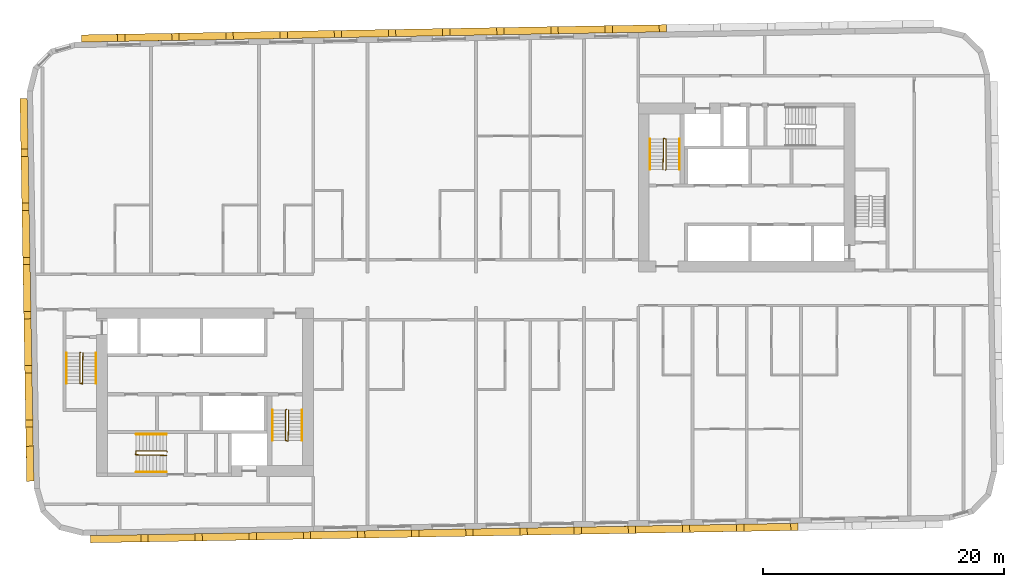
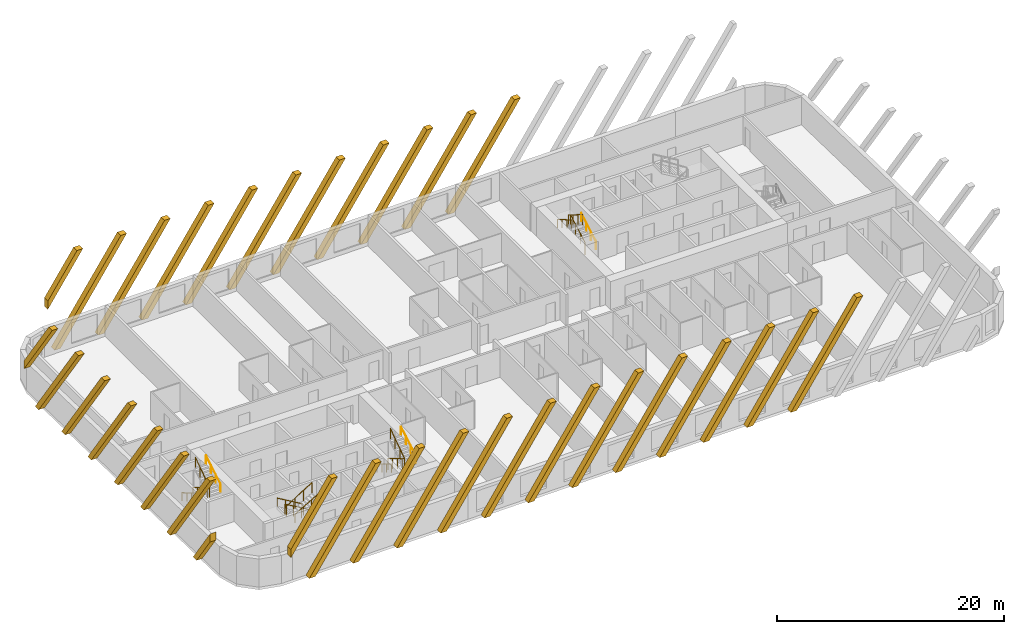
# One storey, part 11 of 12: 32 coverings, 12 railings.
"""IFC4 building model written with IfcOpenShell, lengths in metres."""

from ifc_helpers import new_model, si_unit, direction, frame, origin, origin_2d, place, context, subcontext, project, spatial, polyline, rectangle, circle, outline, extrude, material, material_profile, profile_set, type_object, element, save


model = new_model("IFC4")

# Units and contexts
model_context = context("Model", 3, precision=1e-05, world=origin(), true_north=direction((0.0, 1.0)))
body_context = subcontext(model_context, "Body", "Model", "MODEL_VIEW")
ifc_project = project(units=[si_unit("LENGTHUNIT", "METRE"), si_unit("AREAUNIT", "SQUARE_METRE"), si_unit("VOLUMEUNIT", "CUBIC_METRE"), si_unit("PLANEANGLEUNIT", "RADIAN"), si_unit("MASSUNIT", "GRAM", prefix="KILO")], contexts=[model_context])

# Site, building, storey
site_placement = place(None, origin())
site = spatial("IfcSite", under=ifc_project, at=site_placement, CompositionType="ELEMENT")
building_placement = place(site_placement, origin())
building = spatial("IfcBuilding", under=site, at=building_placement, Name="Kajstack Hotel Tower", CompositionType="ELEMENT")
storey_placement = place(building_placement, frame((0.0, 0.0, 227.60009765625)))
storey = spatial("IfcBuildingStorey", under=building, at=storey_placement, Name="L55", CompositionType="ELEMENT", Elevation=227.60009765625)

# Coverings
ifc_material_1 = material(Name="Terracotta", Category="masonry")
ifc_material_profile = material_profile(ifc_material_1, rectangle(XDim=0.60009765625, YDim=0.5, at=origin_2d()), Name="Terracotta-clad concrete baguette 500 x 600")
ifc_profile_set = profile_set([ifc_material_profile], Name="Terracotta")
covering_type = type_object("IfcCoveringType", Name="BAGUETTE 500x600", PredefinedType="CLADDING", material=ifc_profile_set)
covering_1_placement = place(storey_placement, frame((-37.271484375, 15.8994140625, 0.0), z_axis=(-0.999846892363, -0.017498337962, 0.0), x_axis=(0.017498337962, -0.999846892363, 0.0)))
element("IfcCovering", 1, at=covering_1_placement, inside=storey, type_object=covering_type, Name="Baguette L55-00-001", PredefinedType="CLADDING", context=body_context, shape_type="SweptSolid", body=[
    extrude(outline(polyline([(4.196533203125, 9.89990234375), (0.0, 3.7939453125), (0.0, 2.9111328125), (4.803466796875, 9.89990234375), (4.196533203125, 9.89990234375)])), origin(), (0.0, 0.0, 1.0), 0.599853515625),
])
covering_2_placement = place(storey_placement, frame((-37.23828125, 14.00732421875, 0.0), z_axis=(-0.999847016888, -0.017491221207, 0.0), x_axis=(0.017491221207, -0.999847016888, 0.0)))
element("IfcCovering", 2, at=covering_2_placement, inside=storey, type_object=covering_type, Name="Baguette L55-00-005", PredefinedType="CLADDING", context=body_context, shape_type="SweptSolid", body=[
    extrude(outline(polyline([(6.80419921875, 9.89990234375), (0.0, 0.0), (0.606689453125, 0.0), (7.410888671875, 9.89990234375), (6.80419921875, 9.89990234375)])), origin(), (0.0, 0.0, 1.0), 0.60009765625),
])
for number, where, z_axis, x_axis, name in (
    (3, (-37.159912109375, 9.5078125, 0.0), (-0.999846892363, -0.017498337962, 0.0), (0.017498337962, -0.999846892363, 0.0), "Baguette L55-00-009"),
    (4, (-37.081298828125, 5.008544921875, 0.0), (-0.999846892363, -0.017498337962, 0.0), (0.017498337962, -0.999846892363, 0.0), "Baguette L55-00-013"),
):
    element("IfcCovering", number, at=place(storey_placement, frame(where, z_axis=z_axis, x_axis=x_axis)), inside=storey, type_object=covering_type, Name=name, PredefinedType="CLADDING", context=body_context, shape_type="SweptSolid", body=[
        extrude(outline(polyline([(6.80419921875, 9.89990234375), (0.0, 0.0), (0.606689453125, 0.0), (7.410888671875, 9.89990234375), (6.80419921875, 9.89990234375)])), origin(), (0.0, 0.0, 1.0), 0.599853515625),
    ])
covering_3_placement = place(storey_placement, frame((-37.002685546875, 0.50927734375, 0.0), z_axis=(-0.999847016888, -0.017491221207, 0.0), x_axis=(0.017491221207, -0.999847016888, 0.0)))
element("IfcCovering", 5, at=covering_3_placement, inside=storey, type_object=covering_type, Name="Baguette L55-00-017", PredefinedType="CLADDING", context=body_context, shape_type="SweptSolid", body=[
    extrude(outline(polyline([(6.80419921875, 9.89990234375), (0.0, 0.0), (0.606689453125, 0.0), (7.410888671875, 9.89990234375), (6.80419921875, 9.89990234375)])), origin(), (0.0, 0.0, 1.0), 0.60009765625),
])
covering_4_placement = place(storey_placement, frame((-36.92431640625, -3.989990234375, 0.0), z_axis=(-0.999846892363, -0.017498337962, 0.0), x_axis=(0.017498337962, -0.999846892363, 0.0)))
element("IfcCovering", 6, at=covering_4_placement, inside=storey, type_object=covering_type, Name="Baguette L55-00-021", PredefinedType="CLADDING", context=body_context, shape_type="SweptSolid", body=[
    extrude(outline(polyline([(6.80419921875, 9.89990234375), (0.0, 0.0), (0.606689453125, 0.0), (7.410888671875, 9.89990234375), (6.80419921875, 9.89990234375)])), origin(), (0.0, 0.0, 1.0), 0.599853515625),
])
covering_5_placement = place(storey_placement, frame((-36.845703125, -8.489501953125, 0.0), z_axis=(-0.999853929301, -0.017091520159, 0.0), x_axis=(0.017091520159, -0.999853929301, 0.0)))
element("IfcCovering", 7, at=covering_5_placement, inside=storey, type_object=covering_type, Name="Baguette L55-00-025", PredefinedType="CLADDING", context=body_context, shape_type="SweptSolid", body=[
    extrude(outline(polyline([(0.606689453125, 0.0), (7.407470703125, 9.89501953125), (7.407470703125, 9.89990234375), (6.80419921875, 9.89990234375), (0.0, 0.0), (0.606689453125, 0.0)])), origin(), (0.0, 0.0, 1.0), 0.599853515625),
])
covering_6_placement = place(storey_placement, frame((-36.76708984375, -12.98876953125, 0.0), z_axis=(-0.999846892363, -0.017498337962, 0.0), x_axis=(0.017498337962, -0.999846892363, 0.0)))
element("IfcCovering", 8, at=covering_6_placement, inside=storey, type_object=covering_type, Name="Baguette L55-00-029", PredefinedType="CLADDING", context=body_context, shape_type="SweptSolid", body=[
    extrude(outline(polyline([(0.606689453125, 0.0), (2.907470703125, 3.34765625), (2.907470703125, 4.230224609375), (0.0, 0.0), (0.606689453125, 0.0)])), origin(), (0.0, 0.0, 1.0), 0.599853515625),
])
covering_7_placement = place(storey_placement, frame((-32.036865234375, -20.414794921875, 0.0), z_axis=(0.017498337962, -0.999846892363, 0.0), x_axis=(0.999846892363, 0.017498337962, 0.0)))
element("IfcCovering", 9, at=covering_7_placement, inside=storey, type_object=covering_type, Name="Baguette L55-04-001", PredefinedType="CLADDING", context=body_context, shape_type="SweptSolid", body=[
    extrude(outline(polyline([(4.196533203125, 9.89990234375), (0.0, 3.7939453125), (0.0, 2.9111328125), (4.803466796875, 9.89990234375), (4.196533203125, 9.89990234375)])), origin(), (0.0, 0.0, 1.0), 0.599853515625),
])
covering_8_placement = place(storey_placement, frame((-30.14453125, -20.381591796875, 0.0), z_axis=(0.017491221207, -0.999847016888, 0.0), x_axis=(0.999847016888, 0.017491221207, 0.0)))
element("IfcCovering", 10, at=covering_8_placement, inside=storey, type_object=covering_type, Name="Baguette L55-04-005", PredefinedType="CLADDING", context=body_context, shape_type="SweptSolid", body=[
    extrude(outline(polyline([(6.80419921875, 9.89990234375), (0.0, 0.0), (0.606689453125, 0.0), (7.410888671875, 9.89990234375), (6.80419921875, 9.89990234375)])), origin(), (0.0, 0.0, 1.0), 0.60009765625),
])
for number, where, z_axis, x_axis, name in (
    (11, (-25.645263671875, -20.30322265625, 0.0), (0.017498337962, -0.999846892363, 0.0), (0.999846892363, 0.017498337962, 0.0), "Baguette L55-04-009"),
    (12, (-21.14599609375, -20.224609375, 0.0), (0.017498337962, -0.999846892363, 0.0), (0.999846892363, 0.017498337962, 0.0), "Baguette L55-04-013"),
):
    element("IfcCovering", number, at=place(storey_placement, frame(where, z_axis=z_axis, x_axis=x_axis)), inside=storey, type_object=covering_type, Name=name, PredefinedType="CLADDING", context=body_context, shape_type="SweptSolid", body=[
        extrude(outline(polyline([(6.80419921875, 9.89990234375), (0.0, 0.0), (0.606689453125, 0.0), (7.410888671875, 9.89990234375), (6.80419921875, 9.89990234375)])), origin(), (0.0, 0.0, 1.0), 0.599853515625),
    ])
covering_9_placement = place(storey_placement, frame((-16.646484375, -20.14599609375, 0.0), z_axis=(0.017491221207, -0.999847016888, 0.0), x_axis=(0.999847016888, 0.017491221207, 0.0)))
element("IfcCovering", 13, at=covering_9_placement, inside=storey, type_object=covering_type, Name="Baguette L55-04-017", PredefinedType="CLADDING", context=body_context, shape_type="SweptSolid", body=[
    extrude(outline(polyline([(6.80419921875, 9.89990234375), (0.0, 0.0), (0.606689453125, 0.0), (7.410888671875, 9.89990234375), (6.80419921875, 9.89990234375)])), origin(), (0.0, 0.0, 1.0), 0.60009765625),
])
for number, where, z_axis, x_axis, name in (
    (14, (-12.147216796875, -20.067626953125, 0.0), (0.017498337962, -0.999846892363, 0.0), (0.999846892363, 0.017498337962, 0.0), "Baguette L55-04-021"),
    (15, (-7.64794921875, -19.989013671875, 0.0), (0.017498337962, -0.999846892363, 0.0), (0.999846892363, 0.017498337962, 0.0), "Baguette L55-04-025"),
):
    element("IfcCovering", number, at=place(storey_placement, frame(where, z_axis=z_axis, x_axis=x_axis)), inside=storey, type_object=covering_type, Name=name, PredefinedType="CLADDING", context=body_context, shape_type="SweptSolid", body=[
        extrude(outline(polyline([(6.80419921875, 9.89990234375), (0.0, 0.0), (0.606689453125, 0.0), (7.410888671875, 9.89990234375), (6.80419921875, 9.89990234375)])), origin(), (0.0, 0.0, 1.0), 0.599853515625),
    ])
covering_10_placement = place(storey_placement, frame((-3.148681640625, -19.910400390625, 0.0), z_axis=(0.017491221207, -0.999847016888, 0.0), x_axis=(0.999847016888, 0.017491221207, 0.0)))
element("IfcCovering", 16, at=covering_10_placement, inside=storey, type_object=covering_type, Name="Baguette L55-04-029", PredefinedType="CLADDING", context=body_context, shape_type="SweptSolid", body=[
    extrude(outline(polyline([(6.80419921875, 9.89990234375), (0.0, 0.0), (0.606689453125, 0.0), (7.410888671875, 9.89990234375), (6.80419921875, 9.89990234375)])), origin(), (0.0, 0.0, 1.0), 0.60009765625),
])
for number, where, z_axis, x_axis, name in (
    (17, (1.3505859375, -19.83203125, 0.0), (0.017498337962, -0.999846892363, 0.0), (0.999846892363, 0.017498337962, 0.0), "Baguette L55-04-033"),
    (18, (5.85009765625, -19.75341796875, 0.0), (0.017091520159, -0.999853929301, 0.0), (0.999853929301, 0.017091520159, 0.0), "Baguette L55-04-037"),
    (19, (10.349365234375, -19.6748046875, 0.0), (0.017498337962, -0.999846892363, 0.0), (0.999846892363, 0.017498337962, 0.0), "Baguette L55-04-041"),
    (20, (14.8486328125, -19.596435546875, 0.0), (0.017498337962, -0.999846892363, 0.0), (0.999846892363, 0.017498337962, 0.0), "Baguette L55-04-045"),
    (21, (19.347900390625, -19.517822265625, 0.0), (0.017498337962, -0.999846892363, 0.0), (0.999846892363, 0.017498337962, 0.0), "Baguette L55-04-049"),
):
    element("IfcCovering", number, at=place(storey_placement, frame(where, z_axis=z_axis, x_axis=x_axis)), inside=storey, type_object=covering_type, Name=name, PredefinedType="CLADDING", context=body_context, shape_type="SweptSolid", body=[
        extrude(outline(polyline([(6.80419921875, 9.89990234375), (0.0, 0.0), (0.606689453125, 0.0), (7.410888671875, 9.89990234375), (6.80419921875, 9.89990234375)])), origin(), (0.0, 0.0, 1.0), 0.599853515625),
    ])
covering_11_placement = place(storey_placement, frame((15.843505859375, 21.42724609375, 0.0), z_axis=(-0.017491221207, 0.999847016888, 0.0), x_axis=(-0.999847016888, -0.017491221207, 0.0)))
element("IfcCovering", 22, at=covering_11_placement, inside=storey, type_object=covering_type, Name="Baguette L55-12-025", PredefinedType="CLADDING", context=body_context, shape_type="SweptSolid", body=[
    extrude(outline(polyline([(0.0, 9.89990234375), (6.80419921875, 0.0), (7.410888671875, 0.0), (0.606689453125, 9.89990234375), (0.0, 9.89990234375)])), origin(), (0.0, 0.0, 1.0), 0.60009765625),
])
for number, where, z_axis, x_axis, name in (
    (23, (11.34423828125, 21.348876953125, 0.0), (-0.017498337962, 0.999846892363, 0.0), (-0.999846892363, -0.017498337962, 0.0), "Baguette L55-12-029"),
    (24, (6.844970703125, 21.270263671875, 0.0), (-0.017498337962, 0.999846892363, 0.0), (-0.999846892363, -0.017498337962, 0.0), "Baguette L55-12-033"),
):
    element("IfcCovering", number, at=place(storey_placement, frame(where, z_axis=z_axis, x_axis=x_axis)), inside=storey, type_object=covering_type, Name=name, PredefinedType="CLADDING", context=body_context, shape_type="SweptSolid", body=[
        extrude(outline(polyline([(0.0, 9.89990234375), (6.80419921875, 0.0), (7.410888671875, 0.0), (0.606689453125, 9.89990234375), (0.0, 9.89990234375)])), origin(), (0.0, 0.0, 1.0), 0.599853515625),
    ])
covering_12_placement = place(storey_placement, frame((2.345703125, 21.191650390625, 0.0), z_axis=(-0.017491221207, 0.999847016888, 0.0), x_axis=(-0.999847016888, -0.017491221207, 0.0)))
element("IfcCovering", 25, at=covering_12_placement, inside=storey, type_object=covering_type, Name="Baguette L55-12-037", PredefinedType="CLADDING", context=body_context, shape_type="SweptSolid", body=[
    extrude(outline(polyline([(0.0, 9.89990234375), (6.80419921875, 0.0), (7.410888671875, 0.0), (0.606689453125, 9.89990234375), (0.0, 9.89990234375)])), origin(), (0.0, 0.0, 1.0), 0.60009765625),
])
for number, where, z_axis, x_axis, name in (
    (26, (-2.15380859375, 21.11328125, 0.0), (-0.017498337962, 0.999846892363, 0.0), (-0.999846892363, -0.017498337962, 0.0), "Baguette L55-12-041"),
    (27, (-6.653076171875, 21.03466796875, 0.0), (-0.017498337962, 0.999846892363, 0.0), (-0.999846892363, -0.017498337962, 0.0), "Baguette L55-12-045"),
    (28, (-11.15234375, 20.9560546875, 0.0), (-0.017498337962, 0.999846892363, 0.0), (-0.999846892363, -0.017498337962, 0.0), "Baguette L55-12-049"),
    (29, (-15.651611328125, 20.877685546875, 0.0), (-0.017498337962, 0.999846892363, 0.0), (-0.999846892363, -0.017498337962, 0.0), "Baguette L55-12-053"),
    (30, (-20.15087890625, 20.799072265625, 0.0), (-0.017498337962, 0.999846892363, 0.0), (-0.999846892363, -0.017498337962, 0.0), "Baguette L55-12-057"),
    (31, (-24.650390625, 20.720458984375, 0.0), (-0.017091520159, 0.999853929301, 0.0), (-0.999853929301, -0.017091520159, 0.0), "Baguette L55-12-061"),
):
    element("IfcCovering", number, at=place(storey_placement, frame(where, z_axis=z_axis, x_axis=x_axis)), inside=storey, type_object=covering_type, Name=name, PredefinedType="CLADDING", context=body_context, shape_type="SweptSolid", body=[
        extrude(outline(polyline([(0.0, 9.89990234375), (6.80419921875, 0.0), (7.410888671875, 0.0), (0.606689453125, 9.89990234375), (0.0, 9.89990234375)])), origin(), (0.0, 0.0, 1.0), 0.599853515625),
    ])
covering_13_placement = place(storey_placement, frame((-29.149658203125, 20.641845703125, 0.0), z_axis=(-0.017491221207, 0.999847016888, 0.0), x_axis=(-0.999847016888, -0.017491221207, 0.0)))
element("IfcCovering", 32, at=covering_13_placement, inside=storey, type_object=covering_type, Name="Baguette L55-12-065", PredefinedType="CLADDING", context=body_context, shape_type="SweptSolid", body=[
    extrude(outline(polyline([(0.0, 9.89990234375), (3.603271484375, 4.656982421875), (3.603271484375, 5.539794921875), (0.606689453125, 9.89990234375), (0.0, 9.89990234375)])), origin(), (0.0, 0.0, 1.0), 0.60009765625),
])

# Railings
ifc_material_2 = material(Name="Steel S355J2", Category="steel")
railing_type_1 = type_object("IfcRailingType", Name="Stair guard 1100", PredefinedType="GUARDRAIL", material=ifc_material_2)
railing_1_placement = place(storey_placement, frame((-32.85009765625, -5.199951171875, 0.0)))
element("IfcRailing", 33, at=railing_1_placement, inside=storey, type_object=railing_type_1, Name="L55 W1 stair guard 1", PredefinedType="GUARDRAIL", context=body_context, shape_type="SweptSolid", body=[
    extrude(circle(Radius=0.02392578125, at=origin_2d()), frame((0.0, 0.0, 1.076171875), z_axis=(-0.277797701265, -0.279159454702, 0.919183570361), x_axis=(0.708833529934, -0.705375805398, 0.0)), (0.0, 0.0, 1.0), 0.17919921875),
    extrude(circle(Radius=0.02392578125, at=origin_2d()), frame((-0.0498046875, -0.050048828125, 1.24072265625), z_axis=(0.0, -0.86152411907, 0.507716645641), x_axis=(1.0, 0.0, 0.0)), (0.0, 0.0, 1.0), 2.925048828125),
    extrude(circle(Radius=0.02392578125, at=origin_2d()), frame((-0.0498046875, -2.570068359375, 2.72607421875), z_axis=(0.970072785993, -0.242814311512, 0.0), x_axis=(0.242814311512, 0.970072785993, 0.0)), (0.0, 0.0, 1.0), 0.2060546875),
    extrude(circle(Radius=0.02392578125, at=origin_2d()), frame((0.150146484375, -2.6201171875, 2.72607421875), z_axis=(0.016385308676, 0.841405582595, 0.540155687962), x_axis=(-0.999810440751, 0.019470042781, 0.0)), (0.0, 0.0, 1.0), 3.054443359375),
    extrude(circle(Radius=0.02099609375, at=origin_2d()), origin(), (0.0, 0.0, 1.0), 1.052001953125),
    extrude(circle(Radius=0.02099609375, at=origin_2d()), frame((-0.0498046875, -0.050048828125, 0.164794921875)), (0.0, 0.0, 1.0), 1.052001953125),
    extrude(circle(Radius=0.02099609375, at=origin_2d()), frame((-0.0498046875, -0.89013671875, 0.659912109375)), (0.0, 0.0, 1.0), 1.052001953125),
    extrude(circle(Radius=0.02099609375, at=origin_2d()), frame((-0.0498046875, -1.72998046875, 1.15478515625)), (0.0, 0.0, 1.0), 1.052001953125),
    extrude(circle(Radius=0.02099609375, at=origin_2d()), frame((-0.0498046875, -2.570068359375, 1.64990234375)), (0.0, 0.0, 1.0), 1.052001953125),
    extrude(circle(Radius=0.02099609375, at=origin_2d()), frame((0.150146484375, -2.6201171875, 1.64990234375)), (0.0, 0.0, 1.0), 1.052001953125),
    extrude(circle(Radius=0.02099609375, at=origin_2d()), frame((0.166748046875, -1.763427734375, 2.199951171875)), (0.0, 0.0, 1.0), 1.052001953125),
    extrude(circle(Radius=0.02099609375, at=origin_2d()), frame((0.18359375, -0.90673828125, 2.749755859375)), (0.0, 0.0, 1.0), 1.052001953125),
    extrude(circle(Radius=0.02099609375, at=origin_2d()), frame((0.2001953125, -0.050048828125, 3.2998046875)), (0.0, 0.0, 1.0), 1.052001953125),
])
railing_2_placement = place(storey_placement, frame((-15.75, -9.949951171875, 0.0)))
element("IfcRailing", 34, at=railing_2_placement, inside=storey, type_object=railing_type_1, Name="L55 W2 stair guard 1", PredefinedType="GUARDRAIL", context=body_context, shape_type="SweptSolid", body=[
    extrude(circle(Radius=0.02392578125, at=origin_2d()), frame((0.0, 0.0, 1.076171875), z_axis=(-0.279053652268, -0.279053652268, 0.918835196492), x_axis=(0.707106781187, -0.707106781187, 0.0)), (0.0, 0.0, 1.0), 0.179443359375),
    extrude(circle(Radius=0.02392578125, at=origin_2d()), frame((-0.050048828125, -0.050048828125, 1.24072265625), z_axis=(0.0, -0.86152411907, 0.507716645641), x_axis=(1.0, 0.0, 0.0)), (0.0, 0.0, 1.0), 2.925048828125),
    extrude(circle(Radius=0.02392578125, at=origin_2d()), frame((-0.050048828125, -2.570068359375, 2.72607421875), z_axis=(0.970072785993, -0.242814311512, 0.0), x_axis=(0.242814311512, 0.970072785993, 0.0)), (0.0, 0.0, 1.0), 0.2060546875),
    extrude(circle(Radius=0.02392578125, at=origin_2d()), frame((0.14990234375, -2.6201171875, 2.72607421875), z_axis=(0.016385308676, 0.841405582595, 0.540155687962), x_axis=(-0.999810440751, 0.019470042781, 0.0)), (0.0, 0.0, 1.0), 3.054443359375),
    extrude(circle(Radius=0.02099609375, at=origin_2d()), origin(), (0.0, 0.0, 1.0), 1.052001953125),
    extrude(circle(Radius=0.02099609375, at=origin_2d()), frame((-0.050048828125, -0.050048828125, 0.164794921875)), (0.0, 0.0, 1.0), 1.052001953125),
    extrude(circle(Radius=0.02099609375, at=origin_2d()), frame((-0.050048828125, -0.89013671875, 0.659912109375)), (0.0, 0.0, 1.0), 1.052001953125),
    extrude(circle(Radius=0.02099609375, at=origin_2d()), frame((-0.050048828125, -1.72998046875, 1.15478515625)), (0.0, 0.0, 1.0), 1.052001953125),
    extrude(circle(Radius=0.02099609375, at=origin_2d()), frame((-0.050048828125, -2.570068359375, 1.64990234375)), (0.0, 0.0, 1.0), 1.052001953125),
    extrude(circle(Radius=0.02099609375, at=origin_2d()), frame((0.14990234375, -2.6201171875, 1.64990234375)), (0.0, 0.0, 1.0), 1.052001953125),
    extrude(circle(Radius=0.02099609375, at=origin_2d()), frame((0.16650390625, -1.763427734375, 2.199951171875)), (0.0, 0.0, 1.0), 1.052001953125),
    extrude(circle(Radius=0.02099609375, at=origin_2d()), frame((0.183349609375, -0.90673828125, 2.749755859375)), (0.0, 0.0, 1.0), 1.052001953125),
    extrude(circle(Radius=0.02099609375, at=origin_2d()), frame((0.199951171875, -0.050048828125, 3.2998046875)), (0.0, 0.0, 1.0), 1.052001953125),
])
railing_3_placement = place(storey_placement, frame((-25.64990234375, -13.449951171875, 0.0)))
element("IfcRailing", 35, at=railing_3_placement, inside=storey, type_object=railing_type_1, Name="L55 W3 stair guard 1", PredefinedType="GUARDRAIL", context=body_context, shape_type="SweptSolid", body=[
    extrude(circle(Radius=0.02392578125, at=origin_2d()), frame((0.0, 0.0, 1.076171875), z_axis=(-0.279053652268, 0.279053652268, 0.918835196492), x_axis=(-0.707106781187, -0.707106781187, 0.0)), (0.0, 0.0, 1.0), 0.179443359375),
    extrude(circle(Radius=0.02392578125, at=origin_2d()), frame((-0.050048828125, 0.050048828125, 1.24072265625), z_axis=(-0.86152411907, 0.0, 0.507716645641), x_axis=(0.0, -1.0, 0.0)), (0.0, 0.0, 1.0), 2.925048828125),
    extrude(circle(Radius=0.02392578125, at=origin_2d()), frame((-2.570068359375, 0.050048828125, 2.72607421875), z_axis=(-0.164529134168, -0.986372223864, 0.0), x_axis=(0.986372223864, -0.164529134168, 0.0)), (0.0, 0.0, 1.0), 0.30419921875),
    extrude(circle(Radius=0.02392578125, at=origin_2d()), frame((-2.6201171875, -0.25, 2.72607421875), z_axis=(0.841405582595, -0.016385308676, 0.540155687962), x_axis=(0.019470042781, 0.999810440751, 0.0)), (0.0, 0.0, 1.0), 3.054443359375),
    extrude(circle(Radius=0.02099609375, at=origin_2d()), origin(), (0.0, 0.0, 1.0), 1.052001953125),
    extrude(circle(Radius=0.02099609375, at=origin_2d()), frame((-0.050048828125, 0.050048828125, 0.164794921875)), (0.0, 0.0, 1.0), 1.052001953125),
    extrude(circle(Radius=0.02099609375, at=origin_2d()), frame((-0.89013671875, 0.050048828125, 0.659912109375)), (0.0, 0.0, 1.0), 1.052001953125),
    extrude(circle(Radius=0.02099609375, at=origin_2d()), frame((-1.72998046875, 0.050048828125, 1.15478515625)), (0.0, 0.0, 1.0), 1.052001953125),
    extrude(circle(Radius=0.02099609375, at=origin_2d()), frame((-2.570068359375, 0.050048828125, 1.64990234375)), (0.0, 0.0, 1.0), 1.052001953125),
    extrude(circle(Radius=0.02099609375, at=origin_2d()), frame((-2.6201171875, -0.25, 1.64990234375)), (0.0, 0.0, 1.0), 1.052001953125),
    extrude(circle(Radius=0.02099609375, at=origin_2d()), frame((-1.763427734375, -0.2666015625, 2.199951171875)), (0.0, 0.0, 1.0), 1.052001953125),
    extrude(circle(Radius=0.02099609375, at=origin_2d()), frame((-0.90673828125, -0.283447265625, 2.749755859375)), (0.0, 0.0, 1.0), 1.052001953125),
    extrude(circle(Radius=0.02099609375, at=origin_2d()), frame((-0.050048828125, -0.300048828125, 3.2998046875)), (0.0, 0.0, 1.0), 1.052001953125),
])
railing_4_placement = place(storey_placement, frame((15.75, 9.949951171875, 0.0)))
element("IfcRailing", 36, at=railing_4_placement, inside=storey, type_object=railing_type_1, Name="L55 E2 stair guard 1", PredefinedType="GUARDRAIL", context=body_context, shape_type="SweptSolid", body=[
    extrude(circle(Radius=0.02392578125, at=origin_2d()), frame((0.0, 0.0, 1.076171875), z_axis=(0.279053652268, 0.279053652268, 0.918835196492), x_axis=(-0.707106781187, 0.707106781187, 0.0)), (0.0, 0.0, 1.0), 0.179443359375),
    extrude(circle(Radius=0.02392578125, at=origin_2d()), frame((0.050048828125, 0.050048828125, 1.24072265625), z_axis=(0.0, 0.86152411907, 0.507716645641), x_axis=(-1.0, 0.0, 0.0)), (0.0, 0.0, 1.0), 2.925048828125),
    extrude(circle(Radius=0.02392578125, at=origin_2d()), frame((0.050048828125, 2.570068359375, 2.72607421875), z_axis=(-0.970072785993, 0.242814311512, 0.0), x_axis=(-0.242814311512, -0.970072785993, 0.0)), (0.0, 0.0, 1.0), 0.2060546875),
    extrude(circle(Radius=0.02392578125, at=origin_2d()), frame((-0.14990234375, 2.6201171875, 2.72607421875), z_axis=(-0.016385308676, -0.841405582595, 0.540155687962), x_axis=(0.999810440751, -0.019470042781, 0.0)), (0.0, 0.0, 1.0), 3.054443359375),
    extrude(circle(Radius=0.02099609375, at=origin_2d()), origin(), (0.0, 0.0, 1.0), 1.052001953125),
    extrude(circle(Radius=0.02099609375, at=origin_2d()), frame((0.050048828125, 0.050048828125, 0.164794921875)), (0.0, 0.0, 1.0), 1.052001953125),
    extrude(circle(Radius=0.02099609375, at=origin_2d()), frame((0.050048828125, 0.89013671875, 0.659912109375)), (0.0, 0.0, 1.0), 1.052001953125),
    extrude(circle(Radius=0.02099609375, at=origin_2d()), frame((0.050048828125, 1.72998046875, 1.15478515625)), (0.0, 0.0, 1.0), 1.052001953125),
    extrude(circle(Radius=0.02099609375, at=origin_2d()), frame((0.050048828125, 2.570068359375, 1.64990234375)), (0.0, 0.0, 1.0), 1.052001953125),
    extrude(circle(Radius=0.02099609375, at=origin_2d()), frame((-0.14990234375, 2.6201171875, 1.64990234375)), (0.0, 0.0, 1.0), 1.052001953125),
    extrude(circle(Radius=0.02099609375, at=origin_2d()), frame((-0.16650390625, 1.763427734375, 2.199951171875)), (0.0, 0.0, 1.0), 1.052001953125),
    extrude(circle(Radius=0.02099609375, at=origin_2d()), frame((-0.183349609375, 0.90673828125, 2.749755859375)), (0.0, 0.0, 1.0), 1.052001953125),
    extrude(circle(Radius=0.02099609375, at=origin_2d()), frame((-0.199951171875, 0.050048828125, 3.2998046875)), (0.0, 0.0, 1.0), 1.052001953125),
])
railing_type_2 = type_object("IfcRailingType", Name="Stair handrail 900", PredefinedType="HANDRAIL", material=ifc_material_2)
railing_5_placement = place(storey_placement, frame((-34.0, -5.25, 0.164794921875)))
element("IfcRailing", 37, at=railing_5_placement, inside=storey, type_object=railing_type_2, Name="L55 W1 stair handrail 1", PredefinedType="HANDRAIL", context=body_context, shape_type="SweptSolid", body=[
    extrude(circle(Radius=0.02392578125, at=origin_2d()), frame((0.0, 0.0, 0.8759765625), z_axis=(0.0, -0.86152411907, 0.507716645641), x_axis=(1.0, 0.0, 0.0)), (0.0, 0.0, 1.0), 2.925048828125),
    extrude(circle(Radius=0.02099609375, at=origin_2d()), origin(), (0.0, 0.0, 1.0), 0.851806640625),
    extrude(circle(Radius=0.02099609375, at=origin_2d()), frame((0.0, -0.840087890625, 0.4951171875)), (0.0, 0.0, 1.0), 0.851806640625),
    extrude(circle(Radius=0.02099609375, at=origin_2d()), frame((0.0, -1.679931640625, 0.989990234375)), (0.0, 0.0, 1.0), 0.851806640625),
    extrude(circle(Radius=0.02099609375, at=origin_2d()), frame((0.0, -2.52001953125, 1.485107421875)), (0.0, 0.0, 1.0), 0.851806640625),
])
railing_6_placement = place(storey_placement, frame((-31.550048828125, -7.77001953125, 1.81494140625)))
element("IfcRailing", 38, at=railing_6_placement, inside=storey, type_object=railing_type_2, Name="L55 W1 stair handrail 2", PredefinedType="HANDRAIL", context=body_context, shape_type="SweptSolid", body=[
    extrude(circle(Radius=0.02392578125, at=origin_2d()), frame((0.0, 0.0, 0.8759765625), z_axis=(0.0, 0.861560626758, 0.507654692109), x_axis=(-1.0, 0.0, 0.0)), (0.0, 0.0, 1.0), 2.925048828125),
    extrude(circle(Radius=0.02099609375, at=origin_2d()), origin(), (0.0, 0.0, 1.0), 0.851806640625),
    extrude(circle(Radius=0.02099609375, at=origin_2d()), frame((0.0, 0.840087890625, 0.494873046875)), (0.0, 0.0, 1.0), 0.851806640625),
    extrude(circle(Radius=0.02099609375, at=origin_2d()), frame((0.0, 1.679931640625, 0.989990234375)), (0.0, 0.0, 1.0), 0.851806640625),
    extrude(circle(Radius=0.02099609375, at=origin_2d()), frame((0.0, 2.52001953125, 1.48486328125)), (0.0, 0.0, 1.0), 0.851806640625),
])
railing_7_placement = place(storey_placement, frame((-16.89990234375, -10.0, 0.164794921875)))
element("IfcRailing", 39, at=railing_7_placement, inside=storey, type_object=railing_type_2, Name="L55 W2 stair handrail 1", PredefinedType="HANDRAIL", context=body_context, shape_type="SweptSolid", body=[
    extrude(circle(Radius=0.02392578125, at=origin_2d()), frame((0.0, 0.0, 0.8759765625), z_axis=(0.0, -0.86152411907, 0.507716645641), x_axis=(1.0, 0.0, 0.0)), (0.0, 0.0, 1.0), 2.925048828125),
    extrude(circle(Radius=0.02099609375, at=origin_2d()), origin(), (0.0, 0.0, 1.0), 0.851806640625),
    extrude(circle(Radius=0.02099609375, at=origin_2d()), frame((0.0, -0.840087890625, 0.4951171875)), (0.0, 0.0, 1.0), 0.851806640625),
    extrude(circle(Radius=0.02099609375, at=origin_2d()), frame((0.0, -1.679931640625, 0.989990234375)), (0.0, 0.0, 1.0), 0.851806640625),
    extrude(circle(Radius=0.02099609375, at=origin_2d()), frame((0.0, -2.52001953125, 1.485107421875)), (0.0, 0.0, 1.0), 0.851806640625),
])
railing_8_placement = place(storey_placement, frame((-14.449951171875, -12.52001953125, 1.81494140625)))
element("IfcRailing", 40, at=railing_8_placement, inside=storey, type_object=railing_type_2, Name="L55 W2 stair handrail 2", PredefinedType="HANDRAIL", context=body_context, shape_type="SweptSolid", body=[
    extrude(circle(Radius=0.02392578125, at=origin_2d()), frame((0.0, 0.0, 0.8759765625), z_axis=(0.0, 0.861560626758, 0.507654692109), x_axis=(-1.0, 0.0, 0.0)), (0.0, 0.0, 1.0), 2.925048828125),
    extrude(circle(Radius=0.02099609375, at=origin_2d()), origin(), (0.0, 0.0, 1.0), 0.851806640625),
    extrude(circle(Radius=0.02099609375, at=origin_2d()), frame((0.0, 0.840087890625, 0.494873046875)), (0.0, 0.0, 1.0), 0.851806640625),
    extrude(circle(Radius=0.02099609375, at=origin_2d()), frame((0.0, 1.679931640625, 0.989990234375)), (0.0, 0.0, 1.0), 0.851806640625),
    extrude(circle(Radius=0.02099609375, at=origin_2d()), frame((0.0, 2.52001953125, 1.48486328125)), (0.0, 0.0, 1.0), 0.851806640625),
])
railing_9_placement = place(storey_placement, frame((-25.699951171875, -12.0, 0.164794921875)))
element("IfcRailing", 41, at=railing_9_placement, inside=storey, type_object=railing_type_2, Name="L55 W3 stair handrail 1", PredefinedType="HANDRAIL", context=body_context, shape_type="SweptSolid", body=[
    extrude(circle(Radius=0.02392578125, at=origin_2d()), frame((0.0, 0.0, 0.8759765625), z_axis=(-0.86152411907, 0.0, 0.507716645641), x_axis=(0.0, -1.0, 0.0)), (0.0, 0.0, 1.0), 2.925048828125),
    extrude(circle(Radius=0.02099609375, at=origin_2d()), origin(), (0.0, 0.0, 1.0), 0.851806640625),
    extrude(circle(Radius=0.02099609375, at=origin_2d()), frame((-0.840087890625, 0.0, 0.4951171875)), (0.0, 0.0, 1.0), 0.851806640625),
    extrude(circle(Radius=0.02099609375, at=origin_2d()), frame((-1.679931640625, 0.0, 0.989990234375)), (0.0, 0.0, 1.0), 0.851806640625),
    extrude(circle(Radius=0.02099609375, at=origin_2d()), frame((-2.52001953125, 0.0, 1.485107421875)), (0.0, 0.0, 1.0), 0.851806640625),
])
railing_10_placement = place(storey_placement, frame((-28.219970703125, -15.14990234375, 1.81494140625)))
element("IfcRailing", 42, at=railing_10_placement, inside=storey, type_object=railing_type_2, Name="L55 W3 stair handrail 2", PredefinedType="HANDRAIL", context=body_context, shape_type="SweptSolid", body=[
    extrude(circle(Radius=0.02392578125, at=origin_2d()), frame((0.0, 0.0, 0.8759765625), z_axis=(0.861560626758, 0.0, 0.507654692109), x_axis=(0.0, 1.0, 0.0)), (0.0, 0.0, 1.0), 2.925048828125),
    extrude(circle(Radius=0.02099609375, at=origin_2d()), origin(), (0.0, 0.0, 1.0), 0.851806640625),
    extrude(circle(Radius=0.02099609375, at=origin_2d()), frame((0.840087890625, 0.0, 0.494873046875)), (0.0, 0.0, 1.0), 0.851806640625),
    extrude(circle(Radius=0.02099609375, at=origin_2d()), frame((1.679931640625, 0.0, 0.989990234375)), (0.0, 0.0, 1.0), 0.851806640625),
    extrude(circle(Radius=0.02099609375, at=origin_2d()), frame((2.52001953125, 0.0, 1.48486328125)), (0.0, 0.0, 1.0), 0.851806640625),
])
railing_11_placement = place(storey_placement, frame((16.89990234375, 10.0, 0.164794921875)))
element("IfcRailing", 43, at=railing_11_placement, inside=storey, type_object=railing_type_2, Name="L55 E2 stair handrail 1", PredefinedType="HANDRAIL", context=body_context, shape_type="SweptSolid", body=[
    extrude(circle(Radius=0.02392578125, at=origin_2d()), frame((0.0, 0.0, 0.8759765625), z_axis=(0.0, 0.86152411907, 0.507716645641), x_axis=(-1.0, 0.0, 0.0)), (0.0, 0.0, 1.0), 2.925048828125),
    extrude(circle(Radius=0.02099609375, at=origin_2d()), origin(), (0.0, 0.0, 1.0), 0.851806640625),
    extrude(circle(Radius=0.02099609375, at=origin_2d()), frame((0.0, 0.840087890625, 0.4951171875)), (0.0, 0.0, 1.0), 0.851806640625),
    extrude(circle(Radius=0.02099609375, at=origin_2d()), frame((0.0, 1.679931640625, 0.989990234375)), (0.0, 0.0, 1.0), 0.851806640625),
    extrude(circle(Radius=0.02099609375, at=origin_2d()), frame((0.0, 2.52001953125, 1.485107421875)), (0.0, 0.0, 1.0), 0.851806640625),
])
railing_12_placement = place(storey_placement, frame((14.449951171875, 12.52001953125, 1.81494140625)))
element("IfcRailing", 44, at=railing_12_placement, inside=storey, type_object=railing_type_2, Name="L55 E2 stair handrail 2", PredefinedType="HANDRAIL", context=body_context, shape_type="SweptSolid", body=[
    extrude(circle(Radius=0.02392578125, at=origin_2d()), frame((0.0, 0.0, 0.8759765625), z_axis=(0.0, -0.861560626758, 0.507654692109), x_axis=(1.0, 0.0, 0.0)), (0.0, 0.0, 1.0), 2.925048828125),
    extrude(circle(Radius=0.02099609375, at=origin_2d()), origin(), (0.0, 0.0, 1.0), 0.851806640625),
    extrude(circle(Radius=0.02099609375, at=origin_2d()), frame((0.0, -0.840087890625, 0.494873046875)), (0.0, 0.0, 1.0), 0.851806640625),
    extrude(circle(Radius=0.02099609375, at=origin_2d()), frame((0.0, -1.679931640625, 0.989990234375)), (0.0, 0.0, 1.0), 0.851806640625),
    extrude(circle(Radius=0.02099609375, at=origin_2d()), frame((0.0, -2.52001953125, 1.48486328125)), (0.0, 0.0, 1.0), 0.851806640625),
])

save(model, "model.ifc")
